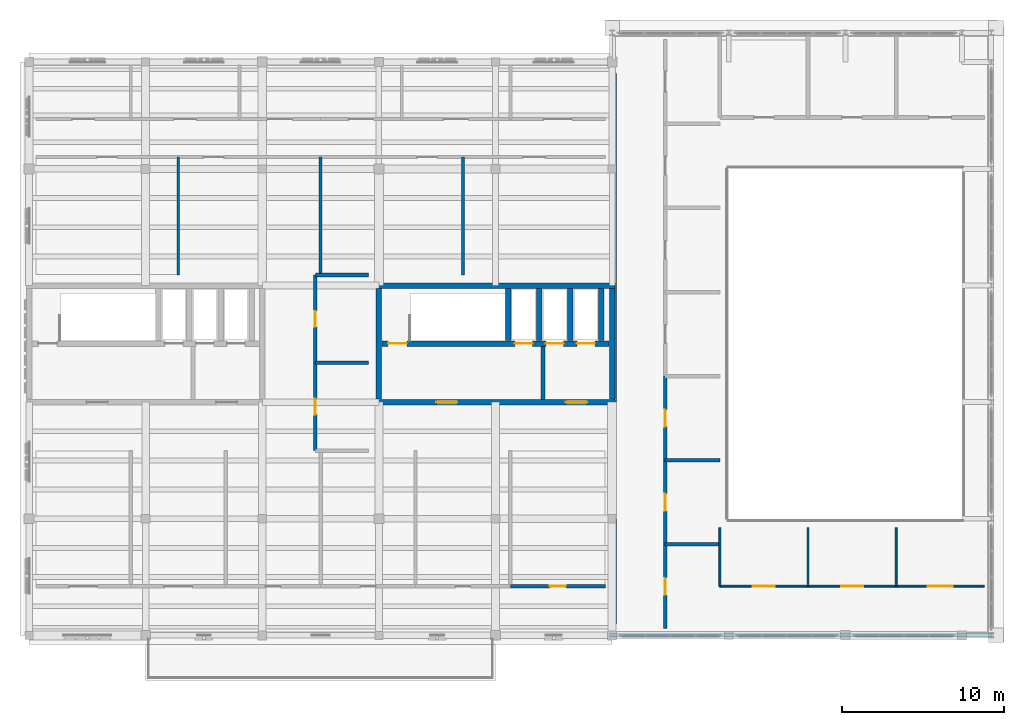
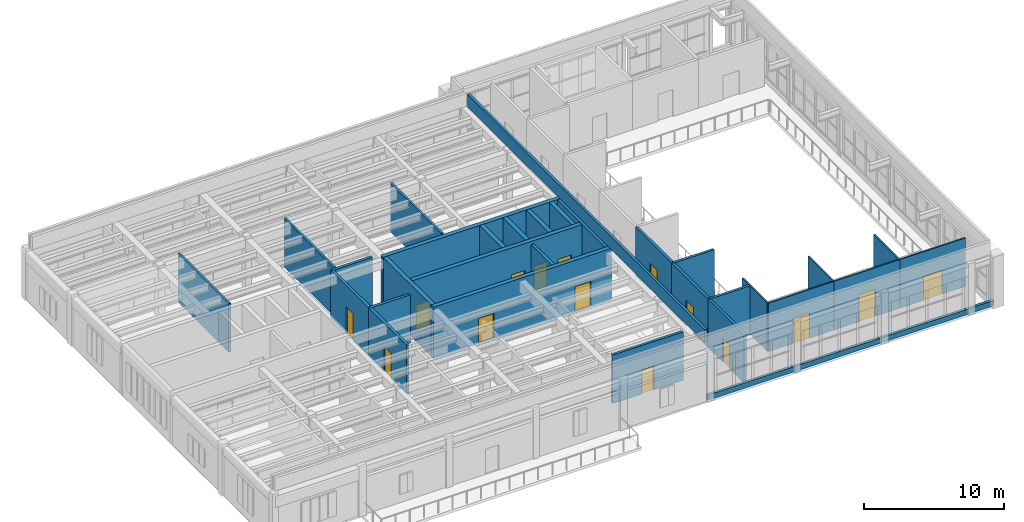
# One storey, part 14 of 18: 31 walls, 15 doors, 15 openings.
"""IFC4 building model written with IfcOpenShell, lengths in metres."""

from ifc_helpers import new_model, si_unit, direction, frame, frame_2d, origin, place, context, subcontext, project, spatial, rectangle, extrude, material, layer, layer_set, type_object, element, fill, save


model = new_model("IFC4")

# Units and contexts
model_context = context("Model", 3, precision=1e-05, world=origin(), true_north=direction((0.0, 1.0)))
body_context = subcontext(model_context, "Body", "Model", "MODEL_VIEW")
ifc_project = project(units=[si_unit("LENGTHUNIT", "METRE"), si_unit("AREAUNIT", "SQUARE_METRE"), si_unit("VOLUMEUNIT", "CUBIC_METRE"), si_unit("PLANEANGLEUNIT", "RADIAN"), si_unit("MASSUNIT", "GRAM", prefix="KILO")], contexts=[model_context])

# Site, building, storey
site_placement = place(None, origin())
site = spatial("IfcSite", under=ifc_project, at=site_placement, CompositionType="ELEMENT")
building_placement = place(site_placement, origin())
building = spatial("IfcBuilding", under=site, at=building_placement, Name="Mithqara Police Headquarters", CompositionType="ELEMENT")
storey_placement = place(building_placement, frame((0.0, 0.0, 30.89990234375)))
storey = spatial("IfcBuildingStorey", under=building, at=storey_placement, Name="L07", CompositionType="ELEMENT", Elevation=30.89990234375)

# Walls
ifc_material_1 = material(Name="Concrete C40/50", Category="concrete")
ifc_layer_1 = layer(ifc_material_1, 0.239990234375, Name="Concrete C40/50")
ifc_layer_set_1 = layer_set([ifc_layer_1], Name="Concrete C40/50")
wall_type_1 = type_object("IfcWallType", Name="CORE LOBBY WALL 240", PredefinedType="SOLIDWALL", material=ifc_layer_set_1)
wall_1_placement = place(storey_placement, frame((140.330078125, 93.169921875, 0.0), z_axis=(0.0, 0.0, 1.0), x_axis=(0.0, 1.0, 0.0)))
element("IfcWall", 1, at=wall_1_placement, inside=storey, type_object=wall_type_1, Name="Core C2 Command East Firefighting Lobby Separation Wall L07", PredefinedType="SOLIDWALL", context=body_context, shape_type="SweptSolid", body=[
    extrude(rectangle(XDim=3.280029296875, YDim=0.239990234375, at=frame_2d((1.64013671875, 0.0))), origin(), (0.0, 0.0, 1.0), 4.22021484375),
])
ifc_material_2 = material(Name="Limestone ashlar masonry, 45 MPa", Category="masonry")
ifc_layer_2 = layer(ifc_material_2, 0.199951171875, Name="Limestone ashlar masonry, 45 MPa")
ifc_layer_set_2 = layer_set([ifc_layer_2], Name="Limestone ashlar masonry, 45 MPa")
wall_type_2 = type_object("IfcWallType", Name="PARAPET WALL 200", PredefinedType="PARAPET", material=ifc_layer_set_2)
wall_2_placement = place(storey_placement, frame((144.760009765625, 79.31005859375, 4.5), z_axis=(0.0, 0.0, 1.0), x_axis=(0.0, 1.0, 0.0)))
element("IfcWall", 2, at=wall_2_placement, inside=storey, type_object=wall_type_2, Name="ROOF Limestone Roof Parapet ROOF-L07-00-18", PredefinedType="PARAPET", context=body_context, shape_type="SweptSolid", body=[
    extrude(rectangle(XDim=33.97998046875, YDim=0.199951171875, at=frame_2d((16.989990234375, 0.0))), origin(), (0.0, 0.0, 1.0), 1.1201171875),
])
ifc_layer_3 = layer(ifc_material_2, 0.219970703125, Name="Limestone ashlar masonry, 45 MPa")
ifc_layer_set_3 = layer_set([ifc_layer_3], Name="Limestone ashlar masonry, 45 MPa")
wall_type_3 = type_object("IfcWallType", Name="PARAPET WALL 220", PredefinedType="PARAPET", material=ifc_layer_set_3)
wall_3_placement = place(storey_placement, frame((144.449951171875, 78.60009765625, 0.0), z_axis=(0.0, 0.0, 1.0), x_axis=(1.0, 0.0, 0.0)))
element("IfcWall", 3, at=wall_3_placement, inside=storey, type_object=wall_type_3, Name="L07 Command Cube Sill Curb 2", PredefinedType="PARAPET", context=body_context, shape_type="SweptSolid", body=[
    extrude(rectangle(XDim=23.699951171875, YDim=0.219970703125, at=frame_2d((11.85009765625, 0.0))), origin(), (0.0, 0.0, 1.0), 0.4501953125),
])
ifc_material_3 = material(Name="Gypsum acoustic stud partition", Category="gypsum")
ifc_layer_4 = layer(ifc_material_3, 0.1201171875, Name="Gypsum acoustic stud partition")
ifc_layer_set_4 = layer_set([ifc_layer_4], Name="Gypsum acoustic stud partition")
wall_type_4 = type_object("IfcWallType", Name="PART WALL 120", PredefinedType="PARTITIONING", material=ifc_layer_set_4)
wall_4_placement = place(storey_placement, frame((151.25, 81.639892578125, 0.0), z_axis=(0.0, 0.0, 1.0), x_axis=(0.0, 1.0, 0.0)))
element("IfcWall", 4, at=wall_4_placement, inside=storey, type_object=wall_type_4, Name="L07 Partition End Closure E0", PredefinedType="PARTITIONING", context=body_context, shape_type="SweptSolid", body=[
    extrude(rectangle(XDim=3.610107421875, YDim=0.1201171875, at=frame_2d((1.80517578125, 0.0))), origin(), (0.0, 0.0, 1.0), 4.25),
])

# Wall, opening, door
wall_5_placement = place(storey_placement, frame((151.25, 81.639892578125, 0.0), z_axis=(0.0, 0.0, 1.0), x_axis=(1.0, 0.0, 0.0)))
wall_5 = element("IfcWall", 5, at=wall_5_placement, inside=storey, type_object=wall_type_4, Name="L07 Corridor Wall Command Viewing Gallery", PredefinedType="PARTITIONING", context=body_context, shape_type="SweptSolid", body=[
    extrude(rectangle(XDim=5.443115234375, YDim=0.1201171875, at=frame_2d((2.7216796875, 0.0))), origin(), (0.0, 0.0, 1.0), 4.25),
])
opening_1_placement = place(wall_5_placement, frame((2.04150390625, 0.0, 0.0)))
opening_1 = element("IfcOpeningElement", 6, at=opening_1_placement, cuts=wall_5, Name="Opening D-17", PredefinedType="OPENING", context=body_context, shape_type="SweptSolid", body=[
    extrude(rectangle(XDim=1.360107421875, YDim=2.219970703125, at=frame_2d((0.68017578125, 1.10986328125))), frame((0.0, 0.070068359375, 0.0), z_axis=(0.0, -1.0, 0.0), x_axis=(1.0, 0.0, 0.0)), (0.0, 0.0, 1.0), 0.14013671875),
])
ifc_material_4 = material(Name="Bronze anodised aluminium 6063-T6", Category="aluminium")
door_type_1 = type_object("IfcDoorType", Name="INT DOOR 1360X2220", OperationType="NOTDEFINED", PredefinedType="DOOR", material=ifc_material_4)
door_1_placement = place(opening_1_placement, origin())
door_1 = element("IfcDoor", 7, at=door_1_placement, inside=storey, type_object=door_type_1, Name="Command Viewing Gallery Entry Door", OperationType="SINGLE_SWING_RIGHT", OverallHeight=2.219970703125, OverallWidth=1.360107421875, PredefinedType="DOOR", context=body_context, shape_type="SweptSolid", body=[
    extrude(rectangle(XDim=1.360107421875, YDim=2.219970703125, at=frame_2d((0.68017578125, 1.10986328125))), frame((0.0, 0.02490234375, 0.0), z_axis=(0.0, -1.0, 0.0), x_axis=(1.0, 0.0, 0.0)), (0.0, 0.0, 1.0), 0.050048828125),
])
fill(opening_1, door_1)

# Wall
wall_6_placement = place(storey_placement, frame((156.693115234375, 81.639892578125, 0.0), z_axis=(0.0, 0.0, 1.0), x_axis=(0.0, 1.0, 0.0)))
element("IfcWall", 8, at=wall_6_placement, inside=storey, type_object=wall_type_4, Name="L07 Room Partition Command Viewing Gallery", PredefinedType="PARTITIONING", context=body_context, shape_type="SweptSolid", body=[
    extrude(rectangle(XDim=3.610107421875, YDim=0.1201171875, at=frame_2d((1.80517578125, 0.0))), origin(), (0.0, 0.0, 1.0), 4.25),
])

# Wall, opening, door
wall_7_placement = place(storey_placement, frame((156.693115234375, 81.639892578125, 0.0), z_axis=(0.0, 0.0, 1.0), x_axis=(1.0, 0.0, 0.0)))
wall_7 = element("IfcWall", 9, at=wall_7_placement, inside=storey, type_object=wall_type_4, Name="L07 Corridor Wall Crisis Management Suite", PredefinedType="PARTITIONING", context=body_context, shape_type="SweptSolid", body=[
    extrude(rectangle(XDim=5.44384765625, YDim=0.1201171875, at=frame_2d((2.721923828125, 0.0))), origin(), (0.0, 0.0, 1.0), 4.25),
])
opening_2_placement = place(wall_7_placement, frame((2.0419921875, 0.0, 0.0)))
opening_2 = element("IfcOpeningElement", 10, at=opening_2_placement, cuts=wall_7, Name="Opening D-18", PredefinedType="OPENING", context=body_context, shape_type="SweptSolid", body=[
    extrude(rectangle(XDim=1.360107421875, YDim=2.35009765625, at=frame_2d((0.68017578125, 1.175048828125))), frame((0.0, 0.070068359375, 0.0), z_axis=(0.0, -1.0, 0.0), x_axis=(1.0, 0.0, 0.0)), (0.0, 0.0, 1.0), 0.14013671875),
])
door_type_2 = type_object("IfcDoorType", Name="INT DOOR 1360X2350", OperationType="NOTDEFINED", PredefinedType="DOOR", material=ifc_material_4)
door_2_placement = place(opening_2_placement, origin())
door_2 = element("IfcDoor", 11, at=door_2_placement, inside=storey, type_object=door_type_2, Name="Crisis Management Suite Entry Door", OperationType="SINGLE_SWING_LEFT", OverallHeight=2.35009765625, OverallWidth=1.360107421875, PredefinedType="DOOR", context=body_context, shape_type="SweptSolid", body=[
    extrude(rectangle(XDim=1.360107421875, YDim=2.35009765625, at=frame_2d((0.68017578125, 1.175048828125))), frame((0.0, 0.02490234375, 0.0), z_axis=(0.0, -1.0, 0.0), x_axis=(1.0, 0.0, 0.0)), (0.0, 0.0, 1.0), 0.050048828125),
])
fill(opening_2, door_2)

# Wall
wall_8_placement = place(storey_placement, frame((162.136962890625, 81.639892578125, 0.0), z_axis=(0.0, 0.0, 1.0), x_axis=(0.0, 1.0, 0.0)))
element("IfcWall", 12, at=wall_8_placement, inside=storey, type_object=wall_type_4, Name="L07 Room Partition Crisis Management Suite", PredefinedType="PARTITIONING", context=body_context, shape_type="SweptSolid", body=[
    extrude(rectangle(XDim=3.610107421875, YDim=0.1201171875, at=frame_2d((1.80517578125, 0.0))), origin(), (0.0, 0.0, 1.0), 4.25),
])

# Wall, opening, door
wall_9_placement = place(storey_placement, frame((162.136962890625, 81.639892578125, 0.0), z_axis=(0.0, 0.0, 1.0), x_axis=(1.0, 0.0, 0.0)))
wall_9 = element("IfcWall", 13, at=wall_9_placement, inside=storey, type_object=wall_type_4, Name="L07 Corridor Wall Gold Command Decision Room", PredefinedType="PARTITIONING", context=body_context, shape_type="SweptSolid", body=[
    extrude(rectangle(XDim=5.443115234375, YDim=0.1201171875, at=frame_2d((2.7216796875, 0.0))), origin(), (0.0, 0.0, 1.0), 4.25),
])
opening_3_placement = place(wall_9_placement, frame((1.96142578125, 0.0, 0.0)))
opening_3 = element("IfcOpeningElement", 14, at=opening_3_placement, cuts=wall_9, Name="Opening D-19", PredefinedType="OPENING", context=body_context, shape_type="SweptSolid", body=[
    extrude(rectangle(XDim=1.52001953125, YDim=2.10009765625, at=frame_2d((0.760009765625, 1.050048828125))), frame((0.0, 0.070068359375, 0.0), z_axis=(0.0, -1.0, 0.0), x_axis=(1.0, 0.0, 0.0)), (0.0, 0.0, 1.0), 0.14013671875),
])
door_type_3 = type_object("IfcDoorType", Name="INT DOOR 1520X2100", OperationType="NOTDEFINED", PredefinedType="DOOR", material=ifc_material_4)
door_3_placement = place(opening_3_placement, origin())
door_3 = element("IfcDoor", 15, at=door_3_placement, inside=storey, type_object=door_type_3, Name="Gold Command Decision Room Entry Door", OperationType="DOUBLE_DOOR_SINGLE_SWING", OverallHeight=2.10009765625, OverallWidth=1.52001953125, PredefinedType="DOOR", context=body_context, shape_type="SweptSolid", body=[
    extrude(rectangle(XDim=1.52001953125, YDim=2.10009765625, at=frame_2d((0.760009765625, 1.050048828125))), frame((0.0, 0.02490234375, 0.0), z_axis=(0.0, -1.0, 0.0), x_axis=(1.0, 0.0, 0.0)), (0.0, 0.0, 1.0), 0.050048828125),
])
fill(opening_3, door_3)

# Walls
ifc_layer_5 = layer(ifc_material_1, 0.179931640625, Name="Concrete C40/50")
ifc_layer_set_5 = layer_set([ifc_layer_5], Name="Concrete C40/50")
wall_type_5 = type_object("IfcWallType", Name="PART WALL 180", PredefinedType="PARTITIONING", material=ifc_layer_set_5)
for number, where, z_axis, x_axis, name in (
    (16, (117.81005859375, 100.85009765625, 0.0), (0.0, 0.0, 1.0), (0.0, 1.0, 0.0), "L07 Room Partition Interagency Situation Room"),
    (17, (126.60009765625, 100.85009765625, 0.0), (0.0, 0.0, 1.0), (0.0, 1.0, 0.0), "L07 Room Partition Secure Satellite Communications Room"),
    (18, (135.389892578125, 100.85009765625, 0.0), (0.0, 0.0, 1.0), (0.0, 1.0, 0.0), "L07 Room Partition Executive Conference Room"),
):
    element("IfcWall", number, at=place(storey_placement, frame(where, z_axis=z_axis, x_axis=x_axis)), inside=storey, type_object=wall_type_5, Name=name, PredefinedType="PARTITIONING", context=body_context, shape_type="SweptSolid", body=[
        extrude(rectangle(XDim=7.289794921875, YDim=0.179931640625, at=frame_2d((3.64501953125, 0.0))), origin(), (0.0, 0.0, 1.0), 4.25),
    ])

# Wall, opening, door
ifc_layer_6 = layer(ifc_material_1, 0.2099609375, Name="Concrete C40/50")
ifc_layer_set_6 = layer_set([ifc_layer_6], Name="Concrete C40/50")
wall_type_6 = type_object("IfcWallType", Name="PART WALL 210", PredefinedType="PARTITIONING", material=ifc_layer_set_6)
wall_10_placement = place(storey_placement, frame((138.320068359375, 81.639892578125, 0.0), z_axis=(0.0, 0.0, 1.0), x_axis=(1.0, 0.0, 0.0)))
wall_10 = element("IfcWall", 19, at=wall_10_placement, inside=storey, type_object=wall_type_6, Name="L07 Corridor Wall Interagency Situation Room", PredefinedType="PARTITIONING", context=body_context, shape_type="SweptSolid", body=[
    extrude(rectangle(XDim=5.85986328125, YDim=0.2099609375, at=frame_2d((2.929931640625, 0.0))), origin(), (0.0, 0.0, 1.0), 4.25),
])
opening_4_placement = place(wall_10_placement, frame((2.43994140625, 0.0, 0.0)))
opening_4 = element("IfcOpeningElement", 20, at=opening_4_placement, cuts=wall_10, Name="Opening D-04", PredefinedType="OPENING", context=body_context, shape_type="SweptSolid", body=[
    extrude(rectangle(XDim=0.97998046875, YDim=2.10009765625, at=frame_2d((0.489990234375, 1.050048828125))), frame((0.0, 0.114990234375, 0.0), z_axis=(0.0, -1.0, 0.0), x_axis=(1.0, 0.0, 0.0)), (0.0, 0.0, 1.0), 0.22998046875),
])
ifc_material_5 = material(Name="Acoustic solid-core timber leaf", Category="wood")
door_type_4 = type_object("IfcDoorType", Name="INT DOOR 980X2100", OperationType="NOTDEFINED", PredefinedType="DOOR", material=ifc_material_5)
door_4_placement = place(opening_4_placement, origin())
door_4 = element("IfcDoor", 21, at=door_4_placement, inside=storey, type_object=door_type_4, Name="Interagency Situation Room Entry Door", OperationType="SINGLE_SWING_LEFT", OverallHeight=2.10009765625, OverallWidth=0.97998046875, PredefinedType="DOOR", context=body_context, shape_type="SweptSolid", body=[
    extrude(rectangle(XDim=0.97998046875, YDim=2.10009765625, at=frame_2d((0.489990234375, 1.050048828125))), frame((0.0, 0.02490234375, 0.0), z_axis=(0.0, -1.0, 0.0), x_axis=(1.0, 0.0, 0.0)), (0.0, 0.0, 1.0), 0.050048828125),
])
fill(opening_4, door_4)

wall_11_placement = place(storey_placement, frame((147.8701171875, 79.02001953125, 0.0), z_axis=(0.0, 0.0, 1.0), x_axis=(0.0, 1.0, 0.0)))
wall_11 = element("IfcWall", 22, at=wall_11_placement, inside=storey, type_object=wall_type_6, Name="L07 Corridor Wall Command Viewing Gallery", PredefinedType="PARTITIONING", context=body_context, shape_type="SweptSolid", body=[
    extrude(rectangle(XDim=5.194091796875, YDim=0.2099609375, at=frame_2d((2.59716796875, 0.0))), origin(), (0.0, 0.0, 1.0), 4.25),
])
opening_5_placement = place(wall_11_placement, frame((2.076904296875, 0.0, 0.0)))
opening_5 = element("IfcOpeningElement", 23, at=opening_5_placement, cuts=wall_11, Name="Opening D-07", PredefinedType="OPENING", context=body_context, shape_type="SweptSolid", body=[
    extrude(rectangle(XDim=1.0400390625, YDim=2.10009765625, at=frame_2d((0.52001953125, 1.050048828125))), frame((0.0, 0.114990234375, 0.0), z_axis=(0.0, -1.0, 0.0), x_axis=(1.0, 0.0, 0.0)), (0.0, 0.0, 1.0), 0.22998046875),
])
door_type_5 = type_object("IfcDoorType", Name="INT DOOR 1040X2100", OperationType="NOTDEFINED", PredefinedType="DOOR", material=ifc_material_5)
door_5_placement = place(opening_5_placement, origin())
door_5 = element("IfcDoor", 24, at=door_5_placement, inside=storey, type_object=door_type_5, Name="Command Viewing Gallery Entry Door", OperationType="SINGLE_SWING_RIGHT", OverallHeight=2.10009765625, OverallWidth=1.0400390625, PredefinedType="DOOR", context=body_context, shape_type="SweptSolid", body=[
    extrude(rectangle(XDim=1.0400390625, YDim=2.10009765625, at=frame_2d((0.52001953125, 1.050048828125))), frame((0.0, 0.02490234375, 0.0), z_axis=(0.0, -1.0, 0.0), x_axis=(1.0, 0.0, 0.0)), (0.0, 0.0, 1.0), 0.050048828125),
])
fill(opening_5, door_5)

# Wall
wall_12_placement = place(storey_placement, frame((147.8701171875, 84.214111328125, 0.0), z_axis=(0.0, 0.0, 1.0), x_axis=(1.0, 0.0, 0.0)))
element("IfcWall", 25, at=wall_12_placement, inside=storey, type_object=wall_type_6, Name="L07 Room Partition Command Viewing Gallery", PredefinedType="PARTITIONING", context=body_context, shape_type="SweptSolid", body=[
    extrude(rectangle(XDim=3.3798828125, YDim=0.2099609375, at=frame_2d((1.68994140625, 0.0))), origin(), (0.0, 0.0, 1.0), 4.25),
])

# Wall, opening, door
wall_13_placement = place(storey_placement, frame((147.8701171875, 84.214111328125, 0.0), z_axis=(0.0, 0.0, 1.0), x_axis=(0.0, 1.0, 0.0)))
wall_13 = element("IfcWall", 26, at=wall_13_placement, inside=storey, type_object=wall_type_6, Name="L07 Corridor Wall Crisis Management Suite", PredefinedType="PARTITIONING", context=body_context, shape_type="SweptSolid", body=[
    extrude(rectangle(XDim=5.19482421875, YDim=0.2099609375, at=frame_2d((2.597412109375, 0.0))), origin(), (0.0, 0.0, 1.0), 4.25),
])
opening_6_placement = place(wall_13_placement, frame((2.077392578125, 0.0, 0.0)))
opening_6 = element("IfcOpeningElement", 27, at=opening_6_placement, cuts=wall_13, Name="Opening D-08", PredefinedType="OPENING", context=body_context, shape_type="SweptSolid", body=[
    extrude(rectangle(XDim=1.0400390625, YDim=2.219970703125, at=frame_2d((0.52001953125, 1.10986328125))), frame((0.0, 0.114990234375, 0.0), z_axis=(0.0, -1.0, 0.0), x_axis=(1.0, 0.0, 0.0)), (0.0, 0.0, 1.0), 0.22998046875),
])
door_type_6 = type_object("IfcDoorType", Name="INT DOOR 1040X2220", OperationType="NOTDEFINED", PredefinedType="DOOR", material=ifc_material_5)
door_6_placement = place(opening_6_placement, origin())
door_6 = element("IfcDoor", 28, at=door_6_placement, inside=storey, type_object=door_type_6, Name="Crisis Management Suite Entry Door", OperationType="SINGLE_SWING_LEFT", OverallHeight=2.219970703125, OverallWidth=1.0400390625, PredefinedType="DOOR", context=body_context, shape_type="SweptSolid", body=[
    extrude(rectangle(XDim=1.0400390625, YDim=2.219970703125, at=frame_2d((0.52001953125, 1.10986328125))), frame((0.0, 0.02490234375, 0.0), z_axis=(0.0, -1.0, 0.0), x_axis=(1.0, 0.0, 0.0)), (0.0, 0.0, 1.0), 0.050048828125),
])
fill(opening_6, door_6)

# Wall
wall_14_placement = place(storey_placement, frame((147.8701171875, 89.408935546875, 0.0), z_axis=(0.0, 0.0, 1.0), x_axis=(1.0, 0.0, 0.0)))
element("IfcWall", 29, at=wall_14_placement, inside=storey, type_object=wall_type_6, Name="L07 Room Partition Crisis Management Suite", PredefinedType="PARTITIONING", context=body_context, shape_type="SweptSolid", body=[
    extrude(rectangle(XDim=3.3798828125, YDim=0.2099609375, at=frame_2d((1.68994140625, 0.0))), origin(), (0.0, 0.0, 1.0), 4.25),
])

# Wall, opening, door
wall_15_placement = place(storey_placement, frame((147.8701171875, 89.408935546875, 0.0), z_axis=(0.0, 0.0, 1.0), x_axis=(0.0, 1.0, 0.0)))
wall_15 = element("IfcWall", 30, at=wall_15_placement, inside=storey, type_object=wall_type_6, Name="L07 Corridor Wall Gold Command Decision Room", PredefinedType="PARTITIONING", context=body_context, shape_type="SweptSolid", body=[
    extrude(rectangle(XDim=5.194091796875, YDim=0.2099609375, at=frame_2d((2.59716796875, 0.0))), origin(), (0.0, 0.0, 1.0), 4.25),
])
opening_7_placement = place(wall_15_placement, frame((2.076904296875, 0.0, 0.0)))
opening_7 = element("IfcOpeningElement", 31, at=opening_7_placement, cuts=wall_15, Name="Opening D-09", PredefinedType="OPENING", context=body_context, shape_type="SweptSolid", body=[
    extrude(rectangle(XDim=1.0400390625, YDim=2.35009765625, at=frame_2d((0.52001953125, 1.175048828125))), frame((0.0, 0.114990234375, 0.0), z_axis=(0.0, -1.0, 0.0), x_axis=(1.0, 0.0, 0.0)), (0.0, 0.0, 1.0), 0.22998046875),
])
door_type_7 = type_object("IfcDoorType", Name="INT DOOR 1040X2350", OperationType="NOTDEFINED", PredefinedType="DOOR", material=ifc_material_5)
door_7_placement = place(opening_7_placement, origin())
door_7 = element("IfcDoor", 32, at=door_7_placement, inside=storey, type_object=door_type_7, Name="Gold Command Decision Room Entry Door", OperationType="SINGLE_SWING_RIGHT", OverallHeight=2.35009765625, OverallWidth=1.0400390625, PredefinedType="DOOR", context=body_context, shape_type="SweptSolid", body=[
    extrude(rectangle(XDim=1.0400390625, YDim=2.35009765625, at=frame_2d((0.52001953125, 1.175048828125))), frame((0.0, 0.02490234375, 0.0), z_axis=(0.0, -1.0, 0.0), x_axis=(1.0, 0.0, 0.0)), (0.0, 0.0, 1.0), 0.050048828125),
])
fill(opening_7, door_7)

# Wall
ifc_layer_7 = layer(ifc_material_1, 0.22998046875, Name="Concrete C40/50")
ifc_layer_set_7 = layer_set([ifc_layer_7], Name="Concrete C40/50")
wall_type_7 = type_object("IfcWallType", Name="PART WALL 230", PredefinedType="PARTITIONING", material=ifc_layer_set_7)
wall_16_placement = place(storey_placement, frame((126.27001953125, 100.85009765625, 0.0), z_axis=(0.0, 0.0, 1.0), x_axis=(1.0, 0.0, 0.0)))
element("IfcWall", 33, at=wall_16_placement, inside=storey, type_object=wall_type_7, Name="L07 Partition End Closure E1", PredefinedType="PARTITIONING", context=body_context, shape_type="SweptSolid", body=[
    extrude(rectangle(XDim=3.280029296875, YDim=0.22998046875, at=frame_2d((1.64013671875, 0.0))), origin(), (0.0, 0.0, 1.0), 4.25),
])

# Wall, opening, door
wall_17_placement = place(storey_placement, frame((126.27001953125, 90.0, 0.0), z_axis=(0.0, 0.0, 1.0), x_axis=(0.0, 1.0, 0.0)))
wall_17 = element("IfcWall", 34, at=wall_17_placement, inside=storey, type_object=wall_type_7, Name="L07 Corridor Wall Interagency Situation Room", PredefinedType="PARTITIONING", context=body_context, shape_type="SweptSolid", body=[
    extrude(rectangle(XDim=5.425048828125, YDim=0.22998046875, at=frame_2d((2.71240234375, 0.0))), origin(), (0.0, 0.0, 1.0), 4.25),
])
opening_8_placement = place(wall_17_placement, frame((2.222412109375, 0.0, 0.0)))
opening_8 = element("IfcOpeningElement", 35, at=opening_8_placement, cuts=wall_17, Name="Opening D-05", PredefinedType="OPENING", context=body_context, shape_type="SweptSolid", body=[
    extrude(rectangle(XDim=0.97998046875, YDim=2.219970703125, at=frame_2d((0.489990234375, 1.10986328125))), frame((0.0, 0.125, 0.0), z_axis=(0.0, -1.0, 0.0), x_axis=(1.0, 0.0, 0.0)), (0.0, 0.0, 1.0), 0.25),
])
door_type_8 = type_object("IfcDoorType", Name="INT DOOR 980X2220", OperationType="NOTDEFINED", PredefinedType="DOOR", material=ifc_material_5)
door_8_placement = place(opening_8_placement, origin())
door_8 = element("IfcDoor", 36, at=door_8_placement, inside=storey, type_object=door_type_8, Name="Interagency Situation Room Entry Door", OperationType="SINGLE_SWING_RIGHT", OverallHeight=2.219970703125, OverallWidth=0.97998046875, PredefinedType="DOOR", context=body_context, shape_type="SweptSolid", body=[
    extrude(rectangle(XDim=0.97998046875, YDim=2.219970703125, at=frame_2d((0.489990234375, 1.10986328125))), frame((0.0, 0.02490234375, 0.0), z_axis=(0.0, -1.0, 0.0), x_axis=(1.0, 0.0, 0.0)), (0.0, 0.0, 1.0), 0.050048828125),
])
fill(opening_8, door_8)

# Wall
wall_18_placement = place(storey_placement, frame((126.27001953125, 95.425048828125, 0.0), z_axis=(0.0, 0.0, 1.0), x_axis=(1.0, 0.0, 0.0)))
element("IfcWall", 37, at=wall_18_placement, inside=storey, type_object=wall_type_7, Name="L07 Room Partition Interagency Situation Room", PredefinedType="PARTITIONING", context=body_context, shape_type="SweptSolid", body=[
    extrude(rectangle(XDim=3.280029296875, YDim=0.22998046875, at=frame_2d((1.64013671875, 0.0))), origin(), (0.0, 0.0, 1.0), 4.25),
])

# Wall, opening, door
wall_19_placement = place(storey_placement, frame((126.27001953125, 95.425048828125, 0.0), z_axis=(0.0, 0.0, 1.0), x_axis=(0.0, 1.0, 0.0)))
wall_19 = element("IfcWall", 38, at=wall_19_placement, inside=storey, type_object=wall_type_7, Name="L07 Corridor Wall Secure Satellite Communications Room", PredefinedType="PARTITIONING", context=body_context, shape_type="SweptSolid", body=[
    extrude(rectangle(XDim=5.425048828125, YDim=0.22998046875, at=frame_2d((2.71240234375, 0.0))), origin(), (0.0, 0.0, 1.0), 4.25),
])
opening_9_placement = place(wall_19_placement, frame((2.222412109375, 0.0, 0.0)))
opening_9 = element("IfcOpeningElement", 39, at=opening_9_placement, cuts=wall_19, Name="Opening D-06", PredefinedType="OPENING", context=body_context, shape_type="SweptSolid", body=[
    extrude(rectangle(XDim=0.97998046875, YDim=2.35009765625, at=frame_2d((0.489990234375, 1.175048828125))), frame((0.0, 0.125, 0.0), z_axis=(0.0, -1.0, 0.0), x_axis=(1.0, 0.0, 0.0)), (0.0, 0.0, 1.0), 0.25),
])
door_type_9 = type_object("IfcDoorType", Name="INT DOOR 980X2350", OperationType="NOTDEFINED", PredefinedType="DOOR", material=ifc_material_5)
door_9_placement = place(opening_9_placement, origin())
door_9 = element("IfcDoor", 40, at=door_9_placement, inside=storey, type_object=door_type_9, Name="Secure Satellite Communications Room Entry Door", OperationType="SINGLE_SWING_LEFT", OverallHeight=2.35009765625, OverallWidth=0.97998046875, PredefinedType="DOOR", context=body_context, shape_type="SweptSolid", body=[
    extrude(rectangle(XDim=0.97998046875, YDim=2.35009765625, at=frame_2d((0.489990234375, 1.175048828125))), frame((0.0, 0.02490234375, 0.0), z_axis=(0.0, -1.0, 0.0), x_axis=(1.0, 0.0, 0.0)), (0.0, 0.0, 1.0), 0.050048828125),
])
fill(opening_9, door_9)

# Wall
ifc_material_6 = material(Name="Concrete C50/60", Category="concrete")
ifc_layer_8 = layer(ifc_material_6, 0.340087890625, Name="Concrete C50/60")
ifc_layer_set_8 = layer_set([ifc_layer_8], Name="Concrete C50/60")
wall_type_8 = type_object("IfcWallType", Name="SHEAR WALL 340", PredefinedType="SHEAR", material=ifc_layer_set_8)
wall_20_placement = place(storey_placement, frame((130.030029296875, 100.199951171875, 0.0), z_axis=(0.0, 0.0, 1.0), x_axis=(1.0, 0.0, 0.0)))
element("IfcWall", 41, at=wall_20_placement, inside=storey, type_object=wall_type_8, Name="Core C2 Command East Shear Wall N", PredefinedType="SHEAR", context=body_context, shape_type="SweptSolid", body=[
    extrude(rectangle(XDim=14.739990234375, YDim=0.340087890625, at=frame_2d((7.3701171875, 0.0))), origin(), (0.0, 0.0, 1.0), 4.5),
])

# Wall, openings, doors
wall_21_placement = place(storey_placement, frame((130.030029296875, 93.0, 0.0), z_axis=(0.0, 0.0, 1.0), x_axis=(1.0, 0.0, 0.0)))
wall_21 = element("IfcWall", 42, at=wall_21_placement, inside=storey, type_object=wall_type_8, Name="Core C2 Command East Shear Wall S", PredefinedType="SHEAR", context=body_context, shape_type="SweptSolid", body=[
    extrude(rectangle(XDim=14.739990234375, YDim=0.340087890625, at=frame_2d((7.3701171875, 0.0))), origin(), (0.0, 0.0, 1.0), 4.5),
])
opening_10_placement = place(wall_21_placement, frame((3.719970703125, 0.0, 0.0)))
opening_10 = element("IfcOpeningElement", 43, at=opening_10_placement, cuts=wall_21, Name="Opening FD-02", PredefinedType="OPENING", context=body_context, shape_type="SweptSolid", body=[
    extrude(rectangle(XDim=1.300048828125, YDim=2.199951171875, at=frame_2d((0.64990234375, 1.10009765625))), frame((0.0, 0.18017578125, 0.0), z_axis=(0.0, -1.0, 0.0), x_axis=(1.0, 0.0, 0.0)), (0.0, 0.0, 1.0), 0.360107421875),
])
opening_11_placement = place(wall_21_placement, frame((11.719970703125, 0.0, 0.0)))
opening_11 = element("IfcOpeningElement", 44, at=opening_11_placement, cuts=wall_21, Name="Opening FD-02", PredefinedType="OPENING", context=body_context, shape_type="SweptSolid", body=[
    extrude(rectangle(XDim=1.300048828125, YDim=2.199951171875, at=frame_2d((0.64990234375, 1.10009765625))), frame((0.0, 0.18017578125, 0.0), z_axis=(0.0, -1.0, 0.0), x_axis=(1.0, 0.0, 0.0)), (0.0, 0.0, 1.0), 0.360107421875),
])
ifc_material_7 = material(Name="Steel S355JR", Category="steel")
door_type_10 = type_object("IfcDoorType", Name="CORE DOOR LOBBY 1300X2200", OperationType="NOTDEFINED", PredefinedType="DOOR", material=ifc_material_7)
door_10_placement = place(opening_10_placement, frame((1.300048828125, 0.0, 0.0), z_axis=(0.0, 0.0, 1.0), x_axis=(-1.0, 0.0, 0.0)))
door_10 = element("IfcDoor", 45, at=door_10_placement, inside=storey, type_object=door_type_10, Name="Core C2 Command East FF Lobby Fire Door L07", OperationType="SINGLE_SWING_LEFT", OverallHeight=2.199951171875, OverallWidth=1.300048828125, PredefinedType="DOOR", context=body_context, shape_type="SweptSolid", body=[
    extrude(rectangle(XDim=1.300048828125, YDim=2.199951171875, at=frame_2d((0.64990234375, 1.10009765625))), frame((0.0, 0.02490234375, 0.0), z_axis=(0.0, -1.0, 0.0), x_axis=(1.0, 0.0, 0.0)), (0.0, 0.0, 1.0), 0.050048828125),
])
fill(opening_10, door_10)
door_11_placement = place(opening_11_placement, frame((1.300048828125, 0.0, 0.0), z_axis=(0.0, 0.0, 1.0), x_axis=(-1.0, 0.0, 0.0)))
door_11 = element("IfcDoor", 46, at=door_11_placement, inside=storey, type_object=door_type_10, Name="Core C2 Command East PA Lobby Fire Door L07", OperationType="SINGLE_SWING_RIGHT", OverallHeight=2.199951171875, OverallWidth=1.300048828125, PredefinedType="DOOR", context=body_context, shape_type="SweptSolid", body=[
    extrude(rectangle(XDim=1.300048828125, YDim=2.199951171875, at=frame_2d((0.64990234375, 1.10009765625))), frame((0.0, 0.02490234375, 0.0), z_axis=(0.0, -1.0, 0.0), x_axis=(1.0, 0.0, 0.0)), (0.0, 0.0, 1.0), 0.050048828125),
])
fill(opening_11, door_11)

# Walls
for number, where, z_axis, x_axis, name in (
    (47, (130.199951171875, 93.179931640625, 0.0), (0.0, 0.0, 1.0), (0.0, 1.0, 0.0), "Core C2 Command East Shear Wall W"),
    (48, (144.60009765625, 93.179931640625, 0.0), (0.0, 0.0, 1.0), (0.0, 1.0, 0.0), "Core C2 Command East Shear Wall E"),
):
    element("IfcWall", number, at=place(storey_placement, frame(where, z_axis=z_axis, x_axis=x_axis)), inside=storey, type_object=wall_type_8, Name=name, PredefinedType="SHEAR", context=body_context, shape_type="SweptSolid", body=[
        extrude(rectangle(XDim=6.840087890625, YDim=0.340087890625, at=frame_2d((3.419921875, 0.0))), origin(), (0.0, 0.0, 1.0), 4.5),
    ])

# Wall, openings, doors
wall_22_placement = place(storey_placement, frame((130.3798828125, 96.6201171875, 0.0), z_axis=(0.0, 0.0, 1.0), x_axis=(1.0, 0.0, 0.0)))
wall_22 = element("IfcWall", 49, at=wall_22_placement, inside=storey, type_object=wall_type_8, Name="Core C2 Command East Shear Wall M", PredefinedType="SHEAR", context=body_context, shape_type="SweptSolid", body=[
    extrude(rectangle(XDim=14.0400390625, YDim=0.340087890625, at=frame_2d((7.02001953125, 0.0))), origin(), (0.0, 0.0, 1.0), 4.5),
])
opening_12_placement = place(wall_22_placement, frame((8.2099609375, 0.0, 0.0)))
opening_12 = element("IfcOpeningElement", 50, at=opening_12_placement, cuts=wall_22, Name="Opening LD-01", PredefinedType="OPENING", context=body_context, shape_type="SweptSolid", body=[
    extrude(rectangle(XDim=1.10009765625, YDim=2.14990234375, at=frame_2d((0.550048828125, 1.074951171875))), frame((0.0, 0.18017578125, 0.0), z_axis=(0.0, -1.0, 0.0), x_axis=(1.0, 0.0, 0.0)), (0.0, 0.0, 1.0), 0.360107421875),
])
opening_13_placement = place(wall_22_placement, frame((10.1298828125, 0.0, 0.0)))
opening_13 = element("IfcOpeningElement", 51, at=opening_13_placement, cuts=wall_22, Name="Opening LD-01", PredefinedType="OPENING", context=body_context, shape_type="SweptSolid", body=[
    extrude(rectangle(XDim=1.10009765625, YDim=2.14990234375, at=frame_2d((0.550048828125, 1.074951171875))), frame((0.0, 0.18017578125, 0.0), z_axis=(0.0, -1.0, 0.0), x_axis=(1.0, 0.0, 0.0)), (0.0, 0.0, 1.0), 0.360107421875),
])
opening_14_placement = place(wall_22_placement, frame((12.050048828125, 0.0, 0.0)))
opening_14 = element("IfcOpeningElement", 52, at=opening_14_placement, cuts=wall_22, Name="Opening LD-01", PredefinedType="OPENING", context=body_context, shape_type="SweptSolid", body=[
    extrude(rectangle(XDim=1.10009765625, YDim=2.14990234375, at=frame_2d((0.550048828125, 1.074951171875))), frame((0.0, 0.18017578125, 0.0), z_axis=(0.0, -1.0, 0.0), x_axis=(1.0, 0.0, 0.0)), (0.0, 0.0, 1.0), 0.360107421875),
])
opening_15_placement = place(wall_22_placement, frame((0.39501953125, 0.0, 0.0)))
opening_15 = element("IfcOpeningElement", 53, at=opening_15_placement, cuts=wall_22, Name="Opening FD-01", PredefinedType="OPENING", context=body_context, shape_type="SweptSolid", body=[
    extrude(rectangle(XDim=1.14990234375, YDim=2.14990234375, at=frame_2d((0.574951171875, 1.074951171875))), frame((0.0, 0.18017578125, 0.0), z_axis=(0.0, -1.0, 0.0), x_axis=(1.0, 0.0, 0.0)), (0.0, 0.0, 1.0), 0.360107421875),
])
door_type_11 = type_object("IfcDoorType", Name="CORE DOOR STAIR 1150X2150", OperationType="NOTDEFINED", PredefinedType="DOOR", material=ifc_material_7)
door_12_placement = place(opening_15_placement, origin())
door_12 = element("IfcDoor", 54, at=door_12_placement, inside=storey, type_object=door_type_11, Name="Stair ST-02 Fire Door L07", OperationType="SINGLE_SWING_LEFT", OverallHeight=2.14990234375, OverallWidth=1.14990234375, PredefinedType="DOOR", context=body_context, shape_type="SweptSolid", body=[
    extrude(rectangle(XDim=1.14990234375, YDim=2.14990234375, at=frame_2d((0.574951171875, 1.074951171875))), frame((0.0, 0.02490234375, 0.0), z_axis=(0.0, -1.0, 0.0), x_axis=(1.0, 0.0, 0.0)), (0.0, 0.0, 1.0), 0.050048828125),
])
fill(opening_15, door_12)
door_type_12 = type_object("IfcDoorType", Name="LIFT DOOR 1100X2150", OperationType="DOUBLE_DOOR_SLIDING", PredefinedType="DOOR", material=ifc_material_7)
door_13_placement = place(opening_12_placement, frame((1.10009765625, 0.0, 0.0), z_axis=(0.0, 0.0, 1.0), x_axis=(-1.0, 0.0, 0.0)))
door_13 = element("IfcDoor", 55, at=door_13_placement, inside=storey, type_object=door_type_12, Name="Lift Landing Door FL-02-L07", OperationType="DOUBLE_DOOR_SLIDING", OverallHeight=2.14990234375, OverallWidth=1.10009765625, PredefinedType="DOOR", context=body_context, shape_type="SweptSolid", body=[
    extrude(rectangle(XDim=1.10009765625, YDim=2.14990234375, at=frame_2d((0.550048828125, 1.074951171875))), frame((0.0, 0.02490234375, 0.0), z_axis=(0.0, -1.0, 0.0), x_axis=(1.0, 0.0, 0.0)), (0.0, 0.0, 1.0), 0.050048828125),
])
fill(opening_12, door_13)
door_14_placement = place(opening_13_placement, frame((1.10009765625, 0.0, 0.0), z_axis=(0.0, 0.0, 1.0), x_axis=(-1.0, 0.0, 0.0)))
door_14 = element("IfcDoor", 56, at=door_14_placement, inside=storey, type_object=door_type_12, Name="Lift Landing Door LP-03-L07", OperationType="DOUBLE_DOOR_SLIDING", OverallHeight=2.14990234375, OverallWidth=1.10009765625, PredefinedType="DOOR", context=body_context, shape_type="SweptSolid", body=[
    extrude(rectangle(XDim=1.10009765625, YDim=2.14990234375, at=frame_2d((0.550048828125, 1.074951171875))), frame((0.0, 0.02490234375, 0.0), z_axis=(0.0, -1.0, 0.0), x_axis=(1.0, 0.0, 0.0)), (0.0, 0.0, 1.0), 0.050048828125),
])
fill(opening_13, door_14)
door_15_placement = place(opening_14_placement, frame((1.10009765625, 0.0, 0.0), z_axis=(0.0, 0.0, 1.0), x_axis=(-1.0, 0.0, 0.0)))
door_15 = element("IfcDoor", 57, at=door_15_placement, inside=storey, type_object=door_type_12, Name="Lift Landing Door LP-04-L07", OperationType="DOUBLE_DOOR_SLIDING", OverallHeight=2.14990234375, OverallWidth=1.10009765625, PredefinedType="DOOR", context=body_context, shape_type="SweptSolid", body=[
    extrude(rectangle(XDim=1.10009765625, YDim=2.14990234375, at=frame_2d((0.550048828125, 1.074951171875))), frame((0.0, 0.02490234375, 0.0), z_axis=(0.0, -1.0, 0.0), x_axis=(1.0, 0.0, 0.0)), (0.0, 0.0, 1.0), 0.050048828125),
])
fill(opening_14, door_15)

# Walls
for number, where, z_axis, x_axis, name in (
    (58, (138.179931640625, 96.800048828125, 0.0), (0.0, 0.0, 1.0), (0.0, 1.0, 0.0), "Core C2 Command East Shear Wall X"),
    (59, (140.10009765625, 96.800048828125, 0.0), (0.0, 0.0, 1.0), (0.0, 1.0, 0.0), "Core C2 Command East Shear Wall L1"),
    (60, (142.02001953125, 96.800048828125, 0.0), (0.0, 0.0, 1.0), (0.0, 1.0, 0.0), "Core C2 Command East Shear Wall L2"),
    (61, (143.93994140625, 96.800048828125, 0.0), (0.0, 0.0, 1.0), (0.0, 1.0, 0.0), "Core C2 Command East Shear Wall L3"),
):
    element("IfcWall", number, at=place(storey_placement, frame(where, z_axis=z_axis, x_axis=x_axis)), inside=storey, type_object=wall_type_8, Name=name, PredefinedType="SHEAR", context=body_context, shape_type="SweptSolid", body=[
        extrude(rectangle(XDim=3.219970703125, YDim=0.340087890625, at=frame_2d((1.60986328125, 0.0))), origin(), (0.0, 0.0, 1.0), 4.5),
    ])

save(model, "model.ifc")
